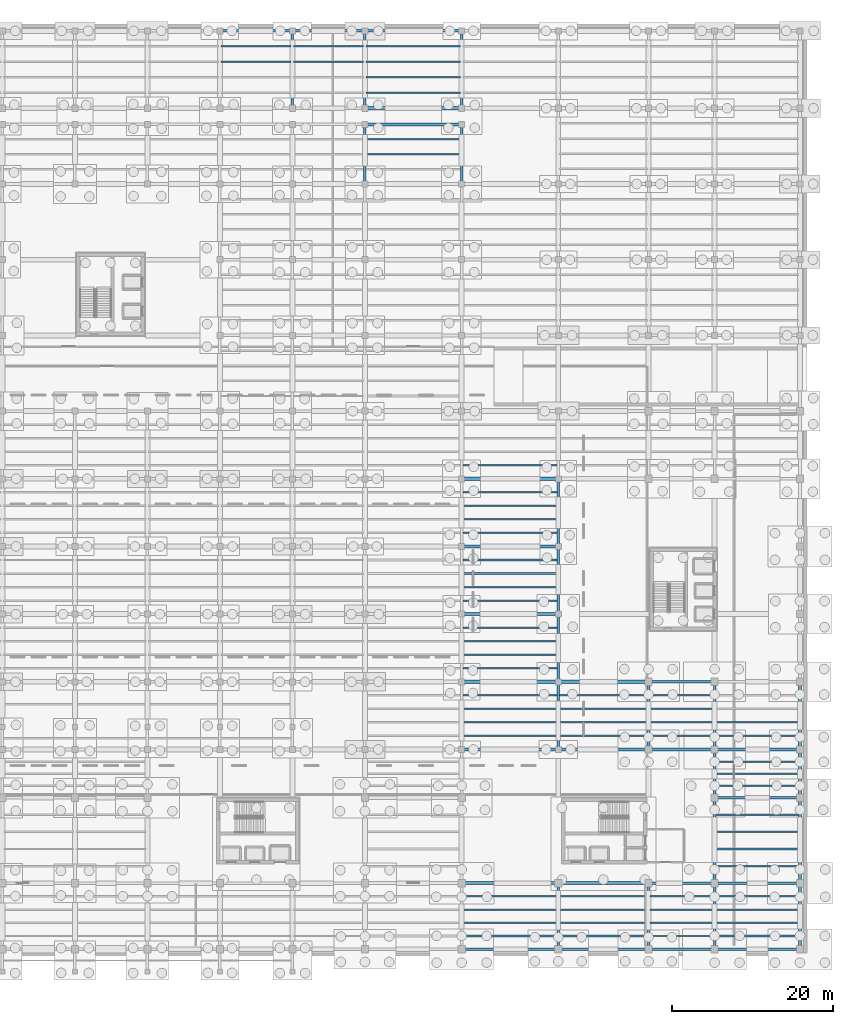
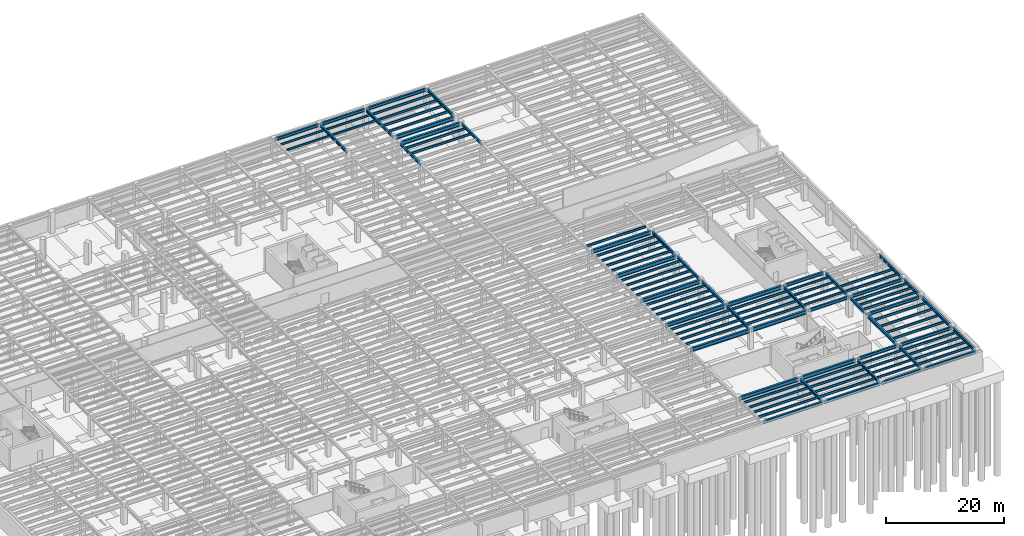
# One storey, part 26 of 49: 104 beams.
"""IFC4 building model written with IfcOpenShell, lengths in metres."""

from ifc_helpers import new_model, si_unit, direction, frame, origin, origin_2d, place, context, subcontext, project, spatial, i_section, extrude, material, material_profile, profile_set, type_object, element, save


model = new_model("IFC4")

# Units and contexts
model_context = context("Model", 3, precision=1e-05, world=origin(), true_north=direction((0.0, 1.0)))
body_context = subcontext(model_context, "Body", "Model", "MODEL_VIEW")
ifc_project = project(units=[si_unit("LENGTHUNIT", "METRE"), si_unit("AREAUNIT", "SQUARE_METRE"), si_unit("VOLUMEUNIT", "CUBIC_METRE"), si_unit("PLANEANGLEUNIT", "RADIAN"), si_unit("MASSUNIT", "GRAM", prefix="KILO")], contexts=[model_context])

# Site, building, storey
site_placement = place(None, origin())
site = spatial("IfcSite", under=ifc_project, at=site_placement, CompositionType="ELEMENT")
building_placement = place(site_placement, origin())
building = spatial("IfcBuilding", under=site, at=building_placement, Name="Sollismere Congress Hotel", CompositionType="ELEMENT")
storey_placement = place(building_placement, frame((0.0, 0.0, -4.5)))
storey = spatial("IfcBuildingStorey", under=building, at=storey_placement, Name="B1", CompositionType="ELEMENT", Elevation=-4.5)

# Beams
ifc_material = material(Name="Steel ASTM A992 Grade 50", Category="steel")
ifc_material_profile_1 = material_profile(ifc_material, i_section(OverallWidth=0.31494140625, OverallDepth=0.551025390625, WebThickness=0.01513671875, FlangeThickness=0.0244140625, at=origin_2d()), Name="W21X122")
ifc_profile_set_1 = profile_set([ifc_material_profile_1], Name="Steel ASTM A992 Grade 50")
beam_type_1 = type_object("IfcBeamType", Name="BM-G21H", PredefinedType="BEAM", material=ifc_profile_set_1)
beam_1_placement = place(storey_placement, frame((103.0, 104.5400390625, 3.924560546875), z_axis=(0.0, 1.0, 0.0), x_axis=(-1.0, 0.0, 0.0)))
element("IfcBeam", 1, at=beam_1_placement, inside=storey, type_object=beam_type_1, Name="Beam BM-B1-0394", PredefinedType="BEAM", context=body_context, shape_type="SweptSolid", body=[
    extrude(i_section(OverallWidth=0.31494140625, OverallDepth=0.551025390625, WebThickness=0.01513671875, FlangeThickness=0.0244140625, at=origin_2d()), origin(), (0.0, 0.0, 1.0), 9.320068359375),
])
beam_2_placement = place(storey_placement, frame((112.0, 95.139892578125, 3.924560546875), z_axis=(0.0, 1.0, 0.0), x_axis=(-1.0, 0.0, 0.0)))
element("IfcBeam", 2, at=beam_2_placement, inside=storey, type_object=beam_type_1, Name="Beam BM-B1-0406", PredefinedType="BEAM", context=body_context, shape_type="SweptSolid", body=[
    extrude(i_section(OverallWidth=0.31494140625, OverallDepth=0.551025390625, WebThickness=0.01513671875, FlangeThickness=0.0244140625, at=origin_2d()), origin(), (0.0, 0.0, 1.0), 7.1201171875),
])
beam_3_placement = place(storey_placement, frame((112.0, 104.5400390625, 3.924560546875), z_axis=(0.0, 1.0, 0.0), x_axis=(-1.0, 0.0, 0.0)))
element("IfcBeam", 3, at=beam_3_placement, inside=storey, type_object=beam_type_1, Name="Beam BM-B1-0407", PredefinedType="BEAM", context=body_context, shape_type="SweptSolid", body=[
    extrude(i_section(OverallWidth=0.31494140625, OverallDepth=0.551025390625, WebThickness=0.01513671875, FlangeThickness=0.0244140625, at=origin_2d()), origin(), (0.0, 0.0, 1.0), 9.320068359375),
])
beam_4_placement = place(storey_placement, frame((124.0, 95.139892578125, 3.924560546875), z_axis=(0.0, 1.0, 0.0), x_axis=(-1.0, 0.0, 0.0)))
element("IfcBeam", 4, at=beam_4_placement, inside=storey, type_object=beam_type_1, Name="Beam BM-B1-0419", PredefinedType="BEAM", context=body_context, shape_type="SweptSolid", body=[
    extrude(i_section(OverallWidth=0.31494140625, OverallDepth=0.551025390625, WebThickness=0.01513671875, FlangeThickness=0.0244140625, at=origin_2d()), origin(), (0.0, 0.0, 1.0), 7.1201171875),
])
beam_5_placement = place(storey_placement, frame((124.0, 104.5400390625, 3.924560546875), z_axis=(0.0, 1.0, 0.0), x_axis=(-1.0, 0.0, 0.0)))
element("IfcBeam", 5, at=beam_5_placement, inside=storey, type_object=beam_type_1, Name="Beam BM-B1-0420", PredefinedType="BEAM", context=body_context, shape_type="SweptSolid", body=[
    extrude(i_section(OverallWidth=0.31494140625, OverallDepth=0.551025390625, WebThickness=0.01513671875, FlangeThickness=0.0244140625, at=origin_2d()), origin(), (0.0, 0.0, 1.0), 9.320068359375),
])
beam_6_placement = place(storey_placement, frame((136.0, 0.139892578125, 3.924560546875), z_axis=(0.0, 1.0, 0.0), x_axis=(-1.0, 0.0, 0.0)))
element("IfcBeam", 6, at=beam_6_placement, inside=storey, type_object=beam_type_1, Name="Beam BM-B1-0421", PredefinedType="BEAM", context=body_context, shape_type="SweptSolid", body=[
    extrude(i_section(OverallWidth=0.31494140625, OverallDepth=0.551025390625, WebThickness=0.01513671875, FlangeThickness=0.0244140625, at=origin_2d()), origin(), (0.0, 0.0, 1.0), 7.920166015625),
])
beam_7_placement = place(storey_placement, frame((136.0, 24.93994140625, 3.924560546875), z_axis=(0.0, 1.0, 0.0), x_axis=(-1.0, 0.0, 0.0)))
element("IfcBeam", 7, at=beam_7_placement, inside=storey, type_object=beam_type_1, Name="Beam BM-B1-0422", PredefinedType="BEAM", context=body_context, shape_type="SweptSolid", body=[
    extrude(i_section(OverallWidth=0.31494140625, OverallDepth=0.551025390625, WebThickness=0.01513671875, FlangeThickness=0.0244140625, at=origin_2d()), origin(), (0.0, 0.0, 1.0), 8.1201171875),
])
beam_8_placement = place(storey_placement, frame((136.0, 33.340087890625, 3.924560546875), z_axis=(0.0, 1.0, 0.0), x_axis=(-1.0, 0.0, 0.0)))
element("IfcBeam", 8, at=beam_8_placement, inside=storey, type_object=beam_type_1, Name="Beam BM-B1-0423", PredefinedType="BEAM", context=body_context, shape_type="SweptSolid", body=[
    extrude(i_section(OverallWidth=0.31494140625, OverallDepth=0.551025390625, WebThickness=0.01513671875, FlangeThickness=0.0244140625, at=origin_2d()), origin(), (0.0, 0.0, 1.0), 8.119873046875),
])
for number, where, z_axis, x_axis, name in (
    (9, (136.0, 41.739990234375, 3.924560546875), (0.0, 1.0, 0.0), (-1.0, 0.0, 0.0), "Beam BM-B1-0424"),
    (10, (136.0, 50.139892578125, 3.924560546875), (0.0, 1.0, 0.0), (-1.0, 0.0, 0.0), "Beam BM-B1-0425"),
):
    element("IfcBeam", number, at=place(storey_placement, frame(where, z_axis=z_axis, x_axis=x_axis)), inside=storey, type_object=beam_type_1, Name=name, PredefinedType="BEAM", context=body_context, shape_type="SweptSolid", body=[
        extrude(i_section(OverallWidth=0.31494140625, OverallDepth=0.551025390625, WebThickness=0.01513671875, FlangeThickness=0.0244140625, at=origin_2d()), origin(), (0.0, 0.0, 1.0), 8.1201171875),
    ])
beam_9_placement = place(storey_placement, frame((147.199951171875, 0.139892578125, 3.924560546875), z_axis=(0.0, 1.0, 0.0), x_axis=(-1.0, 0.0, 0.0)))
element("IfcBeam", 11, at=beam_9_placement, inside=storey, type_object=beam_type_1, Name="Beam BM-B1-0431", PredefinedType="BEAM", context=body_context, shape_type="SweptSolid", body=[
    extrude(i_section(OverallWidth=0.31494140625, OverallDepth=0.551025390625, WebThickness=0.01513671875, FlangeThickness=0.0244140625, at=origin_2d()), origin(), (0.0, 0.0, 1.0), 7.920166015625),
])
beam_10_placement = place(storey_placement, frame((147.199951171875, 24.93994140625, 3.924560546875), z_axis=(0.0, 1.0, 0.0), x_axis=(-1.0, 0.0, 0.0)))
element("IfcBeam", 12, at=beam_10_placement, inside=storey, type_object=beam_type_1, Name="Beam BM-B1-0432", PredefinedType="BEAM", context=body_context, shape_type="SweptSolid", body=[
    extrude(i_section(OverallWidth=0.31494140625, OverallDepth=0.551025390625, WebThickness=0.01513671875, FlangeThickness=0.0244140625, at=origin_2d()), origin(), (0.0, 0.0, 1.0), 8.1201171875),
])
beam_11_placement = place(storey_placement, frame((155.39990234375, 0.139892578125, 3.924560546875), z_axis=(0.0, 1.0, 0.0), x_axis=(-1.0, 0.0, 0.0)))
element("IfcBeam", 13, at=beam_11_placement, inside=storey, type_object=beam_type_1, Name="Beam BM-B1-0438", PredefinedType="BEAM", context=body_context, shape_type="SweptSolid", body=[
    extrude(i_section(OverallWidth=0.31494140625, OverallDepth=0.551025390625, WebThickness=0.01513671875, FlangeThickness=0.0244140625, at=origin_2d()), origin(), (0.0, 0.0, 1.0), 7.920166015625),
])
beam_12_placement = place(storey_placement, frame((155.39990234375, 18.93994140625, 3.924560546875), z_axis=(0.0, 1.0, 0.0), x_axis=(-1.0, 0.0, 0.0)))
element("IfcBeam", 14, at=beam_12_placement, inside=storey, type_object=beam_type_1, Name="Beam BM-B1-0440", PredefinedType="BEAM", context=body_context, shape_type="SweptSolid", body=[
    extrude(i_section(OverallWidth=0.31494140625, OverallDepth=0.551025390625, WebThickness=0.01513671875, FlangeThickness=0.0244140625, at=origin_2d()), origin(), (0.0, 0.0, 1.0), 5.719970703125),
])
beam_13_placement = place(storey_placement, frame((155.39990234375, 24.93994140625, 3.924560546875), z_axis=(0.0, 1.0, 0.0), x_axis=(-1.0, 0.0, 0.0)))
element("IfcBeam", 15, at=beam_13_placement, inside=storey, type_object=beam_type_1, Name="Beam BM-B1-0441", PredefinedType="BEAM", context=body_context, shape_type="SweptSolid", body=[
    extrude(i_section(OverallWidth=0.31494140625, OverallDepth=0.551025390625, WebThickness=0.01513671875, FlangeThickness=0.0244140625, at=origin_2d()), origin(), (0.0, 0.0, 1.0), 8.1201171875),
])
ifc_material_profile_2 = material_profile(ifc_material, i_section(OverallWidth=0.324951171875, OverallDepth=0.612060546875, WebThickness=0.0126953125, FlangeThickness=0.01904296875, at=origin_2d()), Name="W24X104")
ifc_profile_set_2 = profile_set([ifc_material_profile_2], Name="Steel ASTM A992 Grade 50")
beam_type_2 = type_object("IfcBeamType", Name="BM-G24", PredefinedType="BEAM", material=ifc_profile_set_2)
beam_14_placement = place(storey_placement, frame((147.340087890625, 8.199951171875, 3.89404296875), z_axis=(1.0, 0.0, 0.0), x_axis=(0.0, 1.0, 0.0)))
element("IfcBeam", 16, at=beam_14_placement, inside=storey, type_object=beam_type_2, Name="Beam BM-B1-0035", PredefinedType="BEAM", context=body_context, shape_type="SweptSolid", body=[
    extrude(i_section(OverallWidth=0.324951171875, OverallDepth=0.612060546875, WebThickness=0.0126953125, FlangeThickness=0.01904296875, at=origin_2d()), origin(), (0.0, 0.0, 1.0), 7.919921875),
])
for number, where, z_axis, x_axis, name in (
    (17, (155.5400390625, 8.199951171875, 3.89404296875), (1.0, 0.0, 0.0), (0.0, 1.0, 0.0), "Beam BM-B1-0036"),
    (18, (155.5400390625, 18.800048828125, 3.89404296875), (1.0, 0.0, 0.0), (0.0, 1.0, 0.0), "Beam BM-B1-0045"),
):
    element("IfcBeam", number, at=place(storey_placement, frame(where, z_axis=z_axis, x_axis=x_axis)), inside=storey, type_object=beam_type_2, Name=name, PredefinedType="BEAM", context=body_context, shape_type="SweptSolid", body=[
        extrude(i_section(OverallWidth=0.324951171875, OverallDepth=0.612060546875, WebThickness=0.0126953125, FlangeThickness=0.01904296875, at=origin_2d()), origin(), (0.0, 0.0, 1.0), 10.320068359375),
    ])
beam_15_placement = place(storey_placement, frame((147.340087890625, 24.800048828125, 3.89404296875), z_axis=(1.0, 0.0, 0.0), x_axis=(0.0, 1.0, 0.0)))
element("IfcBeam", 19, at=beam_15_placement, inside=storey, type_object=beam_type_2, Name="Beam BM-B1-0062", PredefinedType="BEAM", context=body_context, shape_type="SweptSolid", body=[
    extrude(i_section(OverallWidth=0.324951171875, OverallDepth=0.612060546875, WebThickness=0.0126953125, FlangeThickness=0.01904296875, at=origin_2d()), origin(), (0.0, 0.0, 1.0), 7.919921875),
])
beam_16_placement = place(storey_placement, frame((155.5400390625, 24.800048828125, 3.89404296875), z_axis=(1.0, 0.0, 0.0), x_axis=(0.0, 1.0, 0.0)))
element("IfcBeam", 20, at=beam_16_placement, inside=storey, type_object=beam_type_2, Name="Beam BM-B1-0063", PredefinedType="BEAM", context=body_context, shape_type="SweptSolid", body=[
    extrude(i_section(OverallWidth=0.324951171875, OverallDepth=0.612060546875, WebThickness=0.0126953125, FlangeThickness=0.01904296875, at=origin_2d()), origin(), (0.0, 0.0, 1.0), 10.320068359375),
])
beam_17_placement = place(storey_placement, frame((147.340087890625, 33.199951171875, 3.89404296875), z_axis=(1.0, 0.0, 0.0), x_axis=(0.0, 1.0, 0.0)))
element("IfcBeam", 21, at=beam_17_placement, inside=storey, type_object=beam_type_2, Name="Beam BM-B1-0080", PredefinedType="BEAM", context=body_context, shape_type="SweptSolid", body=[
    extrude(i_section(OverallWidth=0.324951171875, OverallDepth=0.612060546875, WebThickness=0.0126953125, FlangeThickness=0.01904296875, at=origin_2d()), origin(), (0.0, 0.0, 1.0), 7.919921875),
])
ifc_material_profile_3 = material_profile(ifc_material, i_section(OverallWidth=0.35595703125, OverallDepth=0.696044921875, WebThickness=0.015380859375, FlangeThickness=0.025146484375, at=origin_2d()), Name="W27X146")
ifc_profile_set_3 = profile_set([ifc_material_profile_3], Name="Steel ASTM A992 Grade 50")
beam_type_3 = type_object("IfcBeamType", Name="BM-G27", PredefinedType="BEAM", material=ifc_profile_set_3)
beam_18_placement = place(storey_placement, frame((155.39990234375, 8.340087890625, 3.85205078125), z_axis=(0.0, 1.0, 0.0), x_axis=(-1.0, 0.0, 0.0)))
element("IfcBeam", 22, at=beam_18_placement, inside=storey, type_object=beam_type_3, Name="Beam BM-B1-0439", PredefinedType="BEAM", context=body_context, shape_type="SweptSolid", body=[
    extrude(i_section(OverallWidth=0.35595703125, OverallDepth=0.696044921875, WebThickness=0.015380859375, FlangeThickness=0.025146484375, at=origin_2d()), origin(), (0.0, 0.0, 1.0), 10.31982421875),
])
ifc_material_profile_4 = material_profile(ifc_material, i_section(OverallWidth=0.384033203125, OverallDepth=0.787109375, WebThickness=0.019775390625, FlangeThickness=0.033447265625, at=origin_2d()), Name="W30X211")
ifc_profile_set_4 = profile_set([ifc_material_profile_4], Name="Steel ASTM A992 Grade 50")
beam_type_4 = type_object("IfcBeamType", Name="BM-G30", PredefinedType="BEAM", material=ifc_profile_set_4)
beam_19_placement = place(storey_placement, frame((124.139892578125, 8.199951171875, 3.806396484375), z_axis=(1.0, 0.0, 0.0), x_axis=(0.0, 1.0, 0.0)))
element("IfcBeam", 23, at=beam_19_placement, inside=storey, type_object=beam_type_4, Name="Beam BM-B1-0033", PredefinedType="BEAM", context=body_context, shape_type="SweptSolid", body=[
    extrude(i_section(OverallWidth=0.384033203125, OverallDepth=0.787109375, WebThickness=0.019775390625, FlangeThickness=0.033447265625, at=origin_2d()), origin(), (0.0, 0.0, 1.0), 11.72021484375),
])
beam_20_placement = place(storey_placement, frame((136.139892578125, 8.199951171875, 3.806396484375), z_axis=(1.0, 0.0, 0.0), x_axis=(0.0, 1.0, 0.0)))
element("IfcBeam", 24, at=beam_20_placement, inside=storey, type_object=beam_type_4, Name="Beam BM-B1-0034", PredefinedType="BEAM", context=body_context, shape_type="SweptSolid", body=[
    extrude(i_section(OverallWidth=0.384033203125, OverallDepth=0.787109375, WebThickness=0.019775390625, FlangeThickness=0.033447265625, at=origin_2d()), origin(), (0.0, 0.0, 1.0), 10.920166015625),
])
beam_21_placement = place(storey_placement, frame((124.139892578125, 24.800048828125, 3.806396484375), z_axis=(1.0, 0.0, 0.0), x_axis=(0.0, 1.0, 0.0)))
element("IfcBeam", 25, at=beam_21_placement, inside=storey, type_object=beam_type_4, Name="Beam BM-B1-0060", PredefinedType="BEAM", context=body_context, shape_type="SweptSolid", body=[
    extrude(i_section(OverallWidth=0.384033203125, OverallDepth=0.787109375, WebThickness=0.019775390625, FlangeThickness=0.033447265625, at=origin_2d()), origin(), (0.0, 0.0, 1.0), 11.72021484375),
])
beam_22_placement = place(storey_placement, frame((136.139892578125, 24.800048828125, 3.806396484375), z_axis=(1.0, 0.0, 0.0), x_axis=(0.0, 1.0, 0.0)))
element("IfcBeam", 26, at=beam_22_placement, inside=storey, type_object=beam_type_4, Name="Beam BM-B1-0061", PredefinedType="BEAM", context=body_context, shape_type="SweptSolid", body=[
    extrude(i_section(OverallWidth=0.384033203125, OverallDepth=0.787109375, WebThickness=0.019775390625, FlangeThickness=0.033447265625, at=origin_2d()), origin(), (0.0, 0.0, 1.0), 10.920166015625),
])
beam_23_placement = place(storey_placement, frame((124.139892578125, 33.199951171875, 3.806396484375), z_axis=(1.0, 0.0, 0.0), x_axis=(0.0, 1.0, 0.0)))
element("IfcBeam", 27, at=beam_23_placement, inside=storey, type_object=beam_type_4, Name="Beam BM-B1-0078", PredefinedType="BEAM", context=body_context, shape_type="SweptSolid", body=[
    extrude(i_section(OverallWidth=0.384033203125, OverallDepth=0.787109375, WebThickness=0.019775390625, FlangeThickness=0.033447265625, at=origin_2d()), origin(), (0.0, 0.0, 1.0), 11.72021484375),
])
beam_24_placement = place(storey_placement, frame((136.139892578125, 33.199951171875, 3.806396484375), z_axis=(1.0, 0.0, 0.0), x_axis=(0.0, 1.0, 0.0)))
element("IfcBeam", 28, at=beam_24_placement, inside=storey, type_object=beam_type_4, Name="Beam BM-B1-0079", PredefinedType="BEAM", context=body_context, shape_type="SweptSolid", body=[
    extrude(i_section(OverallWidth=0.384033203125, OverallDepth=0.787109375, WebThickness=0.019775390625, FlangeThickness=0.033447265625, at=origin_2d()), origin(), (0.0, 0.0, 1.0), 10.920166015625),
])
for number, where, z_axis, x_axis, name in (
    (29, (124.139892578125, 41.60009765625, 3.806396484375), (1.0, 0.0, 0.0), (0.0, 1.0, 0.0), "Beam BM-B1-0096"),
    (30, (124.139892578125, 50.0, 3.806396484375), (1.0, 0.0, 0.0), (0.0, 1.0, 0.0), "Beam BM-B1-0111"),
    (31, (124.139892578125, 58.39990234375, 3.806396484375), (1.0, 0.0, 0.0), (0.0, 1.0, 0.0), "Beam BM-B1-0123"),
    (32, (112.139892578125, 104.39990234375, 3.806396484375), (1.0, 0.0, 0.0), (0.0, 1.0, 0.0), "Beam BM-B1-0203"),
    (33, (112.139892578125, 102.39990234375, 3.806396484375), (1.0, 0.0, 0.0), (0.0, 1.0, 0.0), "Beam BM-B1-0232"),
):
    element("IfcBeam", number, at=place(storey_placement, frame(where, z_axis=z_axis, x_axis=x_axis)), inside=storey, type_object=beam_type_4, Name=name, PredefinedType="BEAM", context=body_context, shape_type="SweptSolid", body=[
        extrude(i_section(OverallWidth=0.384033203125, OverallDepth=0.787109375, WebThickness=0.019775390625, FlangeThickness=0.033447265625, at=origin_2d()), origin(), (0.0, 0.0, 1.0), 11.72021484375),
    ])
ifc_material_profile_5 = material_profile(ifc_material, i_section(OverallWidth=0.180908203125, OverallDepth=0.4169921875, WebThickness=0.010986328125, FlangeThickness=0.018310546875, at=origin_2d()), Name="W16X57")
ifc_profile_set_5 = profile_set([ifc_material_profile_5], Name="Steel ASTM A992 Grade 50")
beam_type_5 = type_object("IfcBeamType", Name="BM-J16", PredefinedType="JOIST", material=ifc_profile_set_5)
for number, where, z_axis, x_axis, name in (
    (34, (94.157470703125, 110.159912109375, 3.991455078125), (1.0, 0.0, 0.0), (0.0, 1.0, 0.0), "Beam BM-B1-0906"),
    (35, (94.157470703125, 112.080078125, 3.991455078125), (1.0, 0.0, 0.0), (0.0, 1.0, 0.0), "Beam BM-B1-0907"),
    (36, (103.157470703125, 110.159912109375, 3.991455078125), (1.0, 0.0, 0.0), (0.0, 1.0, 0.0), "Beam BM-B1-0945"),
    (37, (103.157470703125, 112.080078125, 3.991455078125), (1.0, 0.0, 0.0), (0.0, 1.0, 0.0), "Beam BM-B1-0946"),
):
    element("IfcBeam", number, at=place(storey_placement, frame(where, z_axis=z_axis, x_axis=x_axis)), inside=storey, type_object=beam_type_5, Name=name, PredefinedType="JOIST", context=body_context, shape_type="SweptSolid", body=[
        extrude(i_section(OverallWidth=0.180908203125, OverallDepth=0.4169921875, WebThickness=0.010986328125, FlangeThickness=0.018310546875, at=origin_2d()), origin(), (0.0, 0.0, 1.0), 8.68505859375),
    ])
for number, where, z_axis, x_axis, name in (
    (38, (147.357421875, 1.639892578125, 3.991455078125), (1.0, 0.0, 0.0), (0.0, 1.0, 0.0), "Beam BM-B1-1061"),
    (39, (147.357421875, 3.280029296875, 3.991455078125), (1.0, 0.0, 0.0), (0.0, 1.0, 0.0), "Beam BM-B1-1062"),
    (40, (147.357421875, 4.919921875, 3.991455078125), (1.0, 0.0, 0.0), (0.0, 1.0, 0.0), "Beam BM-B1-1063"),
    (41, (147.357421875, 6.56005859375, 3.991455078125), (1.0, 0.0, 0.0), (0.0, 1.0, 0.0), "Beam BM-B1-1064"),
    (42, (147.357421875, 26.47998046875, 3.991455078125), (1.0, 0.0, 0.0), (0.0, 1.0, 0.0), "Beam BM-B1-1065"),
    (43, (147.357421875, 28.159912109375, 3.991455078125), (1.0, 0.0, 0.0), (0.0, 1.0, 0.0), "Beam BM-B1-1066"),
    (44, (147.357421875, 29.840087890625, 3.991455078125), (1.0, 0.0, 0.0), (0.0, 1.0, 0.0), "Beam BM-B1-1067"),
    (45, (147.357421875, 31.52001953125, 3.991455078125), (1.0, 0.0, 0.0), (0.0, 1.0, 0.0), "Beam BM-B1-1068"),
):
    element("IfcBeam", number, at=place(storey_placement, frame(where, z_axis=z_axis, x_axis=x_axis)), inside=storey, type_object=beam_type_5, Name=name, PredefinedType="JOIST", context=body_context, shape_type="SweptSolid", body=[
        extrude(i_section(OverallWidth=0.180908203125, OverallDepth=0.4169921875, WebThickness=0.010986328125, FlangeThickness=0.018310546875, at=origin_2d()), origin(), (0.0, 0.0, 1.0), 7.885009765625),
    ])
ifc_material_profile_6 = material_profile(ifc_material, i_section(OverallWidth=0.193115234375, OverallDepth=0.467041015625, WebThickness=0.011474609375, FlangeThickness=0.01904296875, at=origin_2d()), Name="W18X65")
ifc_profile_set_6 = profile_set([ifc_material_profile_6], Name="Steel ASTM A992 Grade 50")
beam_type_6 = type_object("IfcBeamType", Name="BM-J18", PredefinedType="JOIST", material=ifc_profile_set_6)
for number, where, z_axis, x_axis, name in (
    (46, (112.157470703125, 98.699951171875, 3.966552734375), (1.0, 0.0, 0.0), (0.0, 1.0, 0.0), "Beam BM-B1-0991"),
    (47, (112.157470703125, 100.550048828125, 3.966552734375), (1.0, 0.0, 0.0), (0.0, 1.0, 0.0), "Beam BM-B1-0992"),
    (48, (112.157470703125, 106.320068359375, 3.966552734375), (1.0, 0.0, 0.0), (0.0, 1.0, 0.0), "Beam BM-B1-0993"),
    (49, (112.157470703125, 108.239990234375, 3.966552734375), (1.0, 0.0, 0.0), (0.0, 1.0, 0.0), "Beam BM-B1-0994"),
    (50, (112.157470703125, 110.159912109375, 3.966552734375), (1.0, 0.0, 0.0), (0.0, 1.0, 0.0), "Beam BM-B1-0995"),
    (51, (112.157470703125, 112.080078125, 3.966552734375), (1.0, 0.0, 0.0), (0.0, 1.0, 0.0), "Beam BM-B1-0996"),
    (52, (124.157470703125, 1.639892578125, 3.966552734375), (1.0, 0.0, 0.0), (0.0, 1.0, 0.0), "Beam BM-B1-0997"),
    (53, (124.157470703125, 3.280029296875, 3.966552734375), (1.0, 0.0, 0.0), (0.0, 1.0, 0.0), "Beam BM-B1-0998"),
    (54, (124.157470703125, 4.919921875, 3.966552734375), (1.0, 0.0, 0.0), (0.0, 1.0, 0.0), "Beam BM-B1-0999"),
    (55, (124.157470703125, 6.56005859375, 3.966552734375), (1.0, 0.0, 0.0), (0.0, 1.0, 0.0), "Beam BM-B1-1000"),
    (56, (124.157470703125, 26.47998046875, 3.966552734375), (1.0, 0.0, 0.0), (0.0, 1.0, 0.0), "Beam BM-B1-1001"),
    (57, (124.157470703125, 28.159912109375, 3.966552734375), (1.0, 0.0, 0.0), (0.0, 1.0, 0.0), "Beam BM-B1-1002"),
    (58, (124.157470703125, 29.840087890625, 3.966552734375), (1.0, 0.0, 0.0), (0.0, 1.0, 0.0), "Beam BM-B1-1003"),
    (59, (124.157470703125, 31.52001953125, 3.966552734375), (1.0, 0.0, 0.0), (0.0, 1.0, 0.0), "Beam BM-B1-1004"),
    (60, (124.157470703125, 34.8798828125, 3.966552734375), (1.0, 0.0, 0.0), (0.0, 1.0, 0.0), "Beam BM-B1-1005"),
    (61, (124.157470703125, 36.56005859375, 3.966552734375), (1.0, 0.0, 0.0), (0.0, 1.0, 0.0), "Beam BM-B1-1006"),
    (62, (124.157470703125, 38.239990234375, 3.966552734375), (1.0, 0.0, 0.0), (0.0, 1.0, 0.0), "Beam BM-B1-1007"),
    (63, (124.157470703125, 39.919921875, 3.966552734375), (1.0, 0.0, 0.0), (0.0, 1.0, 0.0), "Beam BM-B1-1008"),
    (64, (124.157470703125, 43.280029296875, 3.966552734375), (1.0, 0.0, 0.0), (0.0, 1.0, 0.0), "Beam BM-B1-1009"),
    (65, (124.157470703125, 44.9599609375, 3.966552734375), (1.0, 0.0, 0.0), (0.0, 1.0, 0.0), "Beam BM-B1-1010"),
    (66, (124.157470703125, 46.639892578125, 3.966552734375), (1.0, 0.0, 0.0), (0.0, 1.0, 0.0), "Beam BM-B1-1011"),
    (67, (124.157470703125, 48.320068359375, 3.966552734375), (1.0, 0.0, 0.0), (0.0, 1.0, 0.0), "Beam BM-B1-1012"),
    (68, (124.157470703125, 51.679931640625, 3.966552734375), (1.0, 0.0, 0.0), (0.0, 1.0, 0.0), "Beam BM-B1-1013"),
    (69, (124.157470703125, 53.360107421875, 3.966552734375), (1.0, 0.0, 0.0), (0.0, 1.0, 0.0), "Beam BM-B1-1014"),
    (70, (124.157470703125, 55.0400390625, 3.966552734375), (1.0, 0.0, 0.0), (0.0, 1.0, 0.0), "Beam BM-B1-1015"),
    (71, (124.157470703125, 56.719970703125, 3.966552734375), (1.0, 0.0, 0.0), (0.0, 1.0, 0.0), "Beam BM-B1-1016"),
    (72, (124.157470703125, 60.080078125, 3.966552734375), (1.0, 0.0, 0.0), (0.0, 1.0, 0.0), "Beam BM-B1-1017"),
):
    element("IfcBeam", number, at=place(storey_placement, frame(where, z_axis=z_axis, x_axis=x_axis)), inside=storey, type_object=beam_type_6, Name=name, PredefinedType="JOIST", context=body_context, shape_type="SweptSolid", body=[
        extrude(i_section(OverallWidth=0.193115234375, OverallDepth=0.467041015625, WebThickness=0.011474609375, FlangeThickness=0.01904296875, at=origin_2d()), origin(), (0.0, 0.0, 1.0), 11.68505859375),
    ])
for number, where, z_axis, x_axis, name in (
    (73, (136.157470703125, 1.639892578125, 3.966552734375), (1.0, 0.0, 0.0), (0.0, 1.0, 0.0), "Beam BM-B1-1033"),
    (74, (136.157470703125, 3.280029296875, 3.966552734375), (1.0, 0.0, 0.0), (0.0, 1.0, 0.0), "Beam BM-B1-1034"),
    (75, (136.157470703125, 4.919921875, 3.966552734375), (1.0, 0.0, 0.0), (0.0, 1.0, 0.0), "Beam BM-B1-1035"),
    (76, (136.157470703125, 6.56005859375, 3.966552734375), (1.0, 0.0, 0.0), (0.0, 1.0, 0.0), "Beam BM-B1-1036"),
    (77, (136.157470703125, 26.47998046875, 3.966552734375), (1.0, 0.0, 0.0), (0.0, 1.0, 0.0), "Beam BM-B1-1037"),
    (78, (136.157470703125, 28.159912109375, 3.966552734375), (1.0, 0.0, 0.0), (0.0, 1.0, 0.0), "Beam BM-B1-1038"),
    (79, (136.157470703125, 29.840087890625, 3.966552734375), (1.0, 0.0, 0.0), (0.0, 1.0, 0.0), "Beam BM-B1-1039"),
    (80, (136.157470703125, 31.52001953125, 3.966552734375), (1.0, 0.0, 0.0), (0.0, 1.0, 0.0), "Beam BM-B1-1040"),
):
    element("IfcBeam", number, at=place(storey_placement, frame(where, z_axis=z_axis, x_axis=x_axis)), inside=storey, type_object=beam_type_6, Name=name, PredefinedType="JOIST", context=body_context, shape_type="SweptSolid", body=[
        extrude(i_section(OverallWidth=0.193115234375, OverallDepth=0.467041015625, WebThickness=0.011474609375, FlangeThickness=0.01904296875, at=origin_2d()), origin(), (0.0, 0.0, 1.0), 10.885009765625),
    ])
for number, where, z_axis, x_axis, name in (
    (81, (155.5576171875, 1.639892578125, 3.966552734375), (1.0, 0.0, 0.0), (0.0, 1.0, 0.0), "Beam BM-B1-1089"),
    (82, (155.5576171875, 3.280029296875, 3.966552734375), (1.0, 0.0, 0.0), (0.0, 1.0, 0.0), "Beam BM-B1-1090"),
    (83, (155.5576171875, 4.919921875, 3.966552734375), (1.0, 0.0, 0.0), (0.0, 1.0, 0.0), "Beam BM-B1-1091"),
    (84, (155.5576171875, 6.56005859375, 3.966552734375), (1.0, 0.0, 0.0), (0.0, 1.0, 0.0), "Beam BM-B1-1092"),
):
    element("IfcBeam", number, at=place(storey_placement, frame(where, z_axis=z_axis, x_axis=x_axis)), inside=storey, type_object=beam_type_6, Name=name, PredefinedType="JOIST", context=body_context, shape_type="SweptSolid", body=[
        extrude(i_section(OverallWidth=0.193115234375, OverallDepth=0.467041015625, WebThickness=0.011474609375, FlangeThickness=0.01904296875, at=origin_2d()), origin(), (0.0, 0.0, 1.0), 10.27734375),
    ])
for number, where, z_axis, x_axis, name in (
    (85, (155.577880859375, 10.320068359375, 3.966552734375), (1.0, 0.0, 0.0), (0.0, 1.0, 0.0), "Beam BM-B1-1093"),
    (86, (155.577880859375, 12.43994140625, 3.966552734375), (1.0, 0.0, 0.0), (0.0, 1.0, 0.0), "Beam BM-B1-1094"),
    (87, (155.577880859375, 14.56005859375, 3.966552734375), (1.0, 0.0, 0.0), (0.0, 1.0, 0.0), "Beam BM-B1-1095"),
    (88, (155.577880859375, 16.679931640625, 3.966552734375), (1.0, 0.0, 0.0), (0.0, 1.0, 0.0), "Beam BM-B1-1096"),
):
    element("IfcBeam", number, at=place(storey_placement, frame(where, z_axis=z_axis, x_axis=x_axis)), inside=storey, type_object=beam_type_6, Name=name, PredefinedType="JOIST", context=body_context, shape_type="SweptSolid", body=[
        extrude(i_section(OverallWidth=0.193115234375, OverallDepth=0.467041015625, WebThickness=0.011474609375, FlangeThickness=0.01904296875, at=origin_2d()), origin(), (0.0, 0.0, 1.0), 10.257080078125),
    ])
for number, where, z_axis, x_axis, name in (
    (89, (155.5576171875, 20.300048828125, 3.966552734375), (1.0, 0.0, 0.0), (0.0, 1.0, 0.0), "Beam BM-B1-1097"),
    (90, (155.5576171875, 21.800048828125, 3.966552734375), (1.0, 0.0, 0.0), (0.0, 1.0, 0.0), "Beam BM-B1-1098"),
    (91, (155.5576171875, 23.300048828125, 3.966552734375), (1.0, 0.0, 0.0), (0.0, 1.0, 0.0), "Beam BM-B1-1099"),
    (92, (155.5576171875, 26.47998046875, 3.966552734375), (1.0, 0.0, 0.0), (0.0, 1.0, 0.0), "Beam BM-B1-1100"),
    (93, (155.5576171875, 28.159912109375, 3.966552734375), (1.0, 0.0, 0.0), (0.0, 1.0, 0.0), "Beam BM-B1-1101"),
):
    element("IfcBeam", number, at=place(storey_placement, frame(where, z_axis=z_axis, x_axis=x_axis)), inside=storey, type_object=beam_type_6, Name=name, PredefinedType="JOIST", context=body_context, shape_type="SweptSolid", body=[
        extrude(i_section(OverallWidth=0.193115234375, OverallDepth=0.467041015625, WebThickness=0.011474609375, FlangeThickness=0.01904296875, at=origin_2d()), origin(), (0.0, 0.0, 1.0), 10.27734375),
    ])
ifc_material_profile_7 = material_profile(ifc_material, i_section(OverallWidth=0.330078125, OverallDepth=0.635009765625, WebThickness=0.017822265625, FlangeThickness=0.031005859375, at=origin_2d()), Name="W24X162")
ifc_profile_set_7 = profile_set([ifc_material_profile_7], Name="Steel ASTM A992 Grade 50")
beam_type_7 = type_object("IfcBeamType", Name="BM-SP24E", PredefinedType="SPANDREL", material=ifc_profile_set_7)
beam_25_placement = place(storey_placement, frame((124.139892578125, 0.0, 3.882568359375), z_axis=(1.0, 0.0, 0.0), x_axis=(0.0, 1.0, 0.0)))
element("IfcBeam", 94, at=beam_25_placement, inside=storey, type_object=beam_type_7, Name="Beam BM-B1-0015", PredefinedType="SPANDREL", context=body_context, shape_type="SweptSolid", body=[
    extrude(i_section(OverallWidth=0.330078125, OverallDepth=0.635009765625, WebThickness=0.017822265625, FlangeThickness=0.031005859375, at=origin_2d()), origin(), (0.0, 0.0, 1.0), 11.72021484375),
])
beam_26_placement = place(storey_placement, frame((136.139892578125, 0.0, 3.882568359375), z_axis=(1.0, 0.0, 0.0), x_axis=(0.0, 1.0, 0.0)))
element("IfcBeam", 95, at=beam_26_placement, inside=storey, type_object=beam_type_7, Name="Beam BM-B1-0016", PredefinedType="SPANDREL", context=body_context, shape_type="SweptSolid", body=[
    extrude(i_section(OverallWidth=0.330078125, OverallDepth=0.635009765625, WebThickness=0.017822265625, FlangeThickness=0.031005859375, at=origin_2d()), origin(), (0.0, 0.0, 1.0), 10.920166015625),
])
beam_27_placement = place(storey_placement, frame((147.340087890625, 0.0, 3.882568359375), z_axis=(1.0, 0.0, 0.0), x_axis=(0.0, 1.0, 0.0)))
element("IfcBeam", 96, at=beam_27_placement, inside=storey, type_object=beam_type_7, Name="Beam BM-B1-0017", PredefinedType="SPANDREL", context=body_context, shape_type="SweptSolid", body=[
    extrude(i_section(OverallWidth=0.330078125, OverallDepth=0.635009765625, WebThickness=0.017822265625, FlangeThickness=0.031005859375, at=origin_2d()), origin(), (0.0, 0.0, 1.0), 7.919921875),
])
beam_28_placement = place(storey_placement, frame((155.5400390625, 0.0, 3.882568359375), z_axis=(1.0, 0.0, 0.0), x_axis=(0.0, 1.0, 0.0)))
element("IfcBeam", 97, at=beam_28_placement, inside=storey, type_object=beam_type_7, Name="Beam BM-B1-0018", PredefinedType="SPANDREL", context=body_context, shape_type="SweptSolid", body=[
    extrude(i_section(OverallWidth=0.330078125, OverallDepth=0.635009765625, WebThickness=0.017822265625, FlangeThickness=0.031005859375, at=origin_2d()), origin(), (0.0, 0.0, 1.0), 10.320068359375),
])
for number, where, z_axis, x_axis, name in (
    (98, (94.139892578125, 114.0, 3.882568359375), (1.0, 0.0, 0.0), (0.0, 1.0, 0.0), "Beam BM-B1-0219"),
    (99, (103.139892578125, 114.0, 3.882568359375), (1.0, 0.0, 0.0), (0.0, 1.0, 0.0), "Beam BM-B1-0220"),
):
    element("IfcBeam", number, at=place(storey_placement, frame(where, z_axis=z_axis, x_axis=x_axis)), inside=storey, type_object=beam_type_7, Name=name, PredefinedType="SPANDREL", context=body_context, shape_type="SweptSolid", body=[
        extrude(i_section(OverallWidth=0.330078125, OverallDepth=0.635009765625, WebThickness=0.017822265625, FlangeThickness=0.031005859375, at=origin_2d()), origin(), (0.0, 0.0, 1.0), 8.72021484375),
    ])
beam_29_placement = place(storey_placement, frame((112.139892578125, 114.0, 3.882568359375), z_axis=(1.0, 0.0, 0.0), x_axis=(0.0, 1.0, 0.0)))
element("IfcBeam", 100, at=beam_29_placement, inside=storey, type_object=beam_type_7, Name="Beam BM-B1-0221", PredefinedType="SPANDREL", context=body_context, shape_type="SweptSolid", body=[
    extrude(i_section(OverallWidth=0.330078125, OverallDepth=0.635009765625, WebThickness=0.017822265625, FlangeThickness=0.031005859375, at=origin_2d()), origin(), (0.0, 0.0, 1.0), 11.72021484375),
])
beam_30_placement = place(storey_placement, frame((166.0, 0.139892578125, 3.882568359375), z_axis=(0.0, 1.0, 0.0), x_axis=(-1.0, 0.0, 0.0)))
element("IfcBeam", 101, at=beam_30_placement, inside=storey, type_object=beam_type_7, Name="Beam BM-B1-0447", PredefinedType="SPANDREL", context=body_context, shape_type="SweptSolid", body=[
    extrude(i_section(OverallWidth=0.330078125, OverallDepth=0.635009765625, WebThickness=0.017822265625, FlangeThickness=0.031005859375, at=origin_2d()), origin(), (0.0, 0.0, 1.0), 7.920166015625),
])
beam_31_placement = place(storey_placement, frame((166.0, 8.340087890625, 3.882568359375), z_axis=(0.0, 1.0, 0.0), x_axis=(-1.0, 0.0, 0.0)))
element("IfcBeam", 102, at=beam_31_placement, inside=storey, type_object=beam_type_7, Name="Beam BM-B1-0448", PredefinedType="SPANDREL", context=body_context, shape_type="SweptSolid", body=[
    extrude(i_section(OverallWidth=0.330078125, OverallDepth=0.635009765625, WebThickness=0.017822265625, FlangeThickness=0.031005859375, at=origin_2d()), origin(), (0.0, 0.0, 1.0), 10.31982421875),
])
beam_32_placement = place(storey_placement, frame((166.0, 18.93994140625, 3.882568359375), z_axis=(0.0, 1.0, 0.0), x_axis=(-1.0, 0.0, 0.0)))
element("IfcBeam", 103, at=beam_32_placement, inside=storey, type_object=beam_type_7, Name="Beam BM-B1-0449", PredefinedType="SPANDREL", context=body_context, shape_type="SweptSolid", body=[
    extrude(i_section(OverallWidth=0.330078125, OverallDepth=0.635009765625, WebThickness=0.017822265625, FlangeThickness=0.031005859375, at=origin_2d()), origin(), (0.0, 0.0, 1.0), 5.719970703125),
])
beam_33_placement = place(storey_placement, frame((166.0, 24.93994140625, 3.882568359375), z_axis=(0.0, 1.0, 0.0), x_axis=(-1.0, 0.0, 0.0)))
element("IfcBeam", 104, at=beam_33_placement, inside=storey, type_object=beam_type_7, Name="Beam BM-B1-0450", PredefinedType="SPANDREL", context=body_context, shape_type="SweptSolid", body=[
    extrude(i_section(OverallWidth=0.330078125, OverallDepth=0.635009765625, WebThickness=0.017822265625, FlangeThickness=0.031005859375, at=origin_2d()), origin(), (0.0, 0.0, 1.0), 8.1201171875),
])

save(model, "model.ifc")
